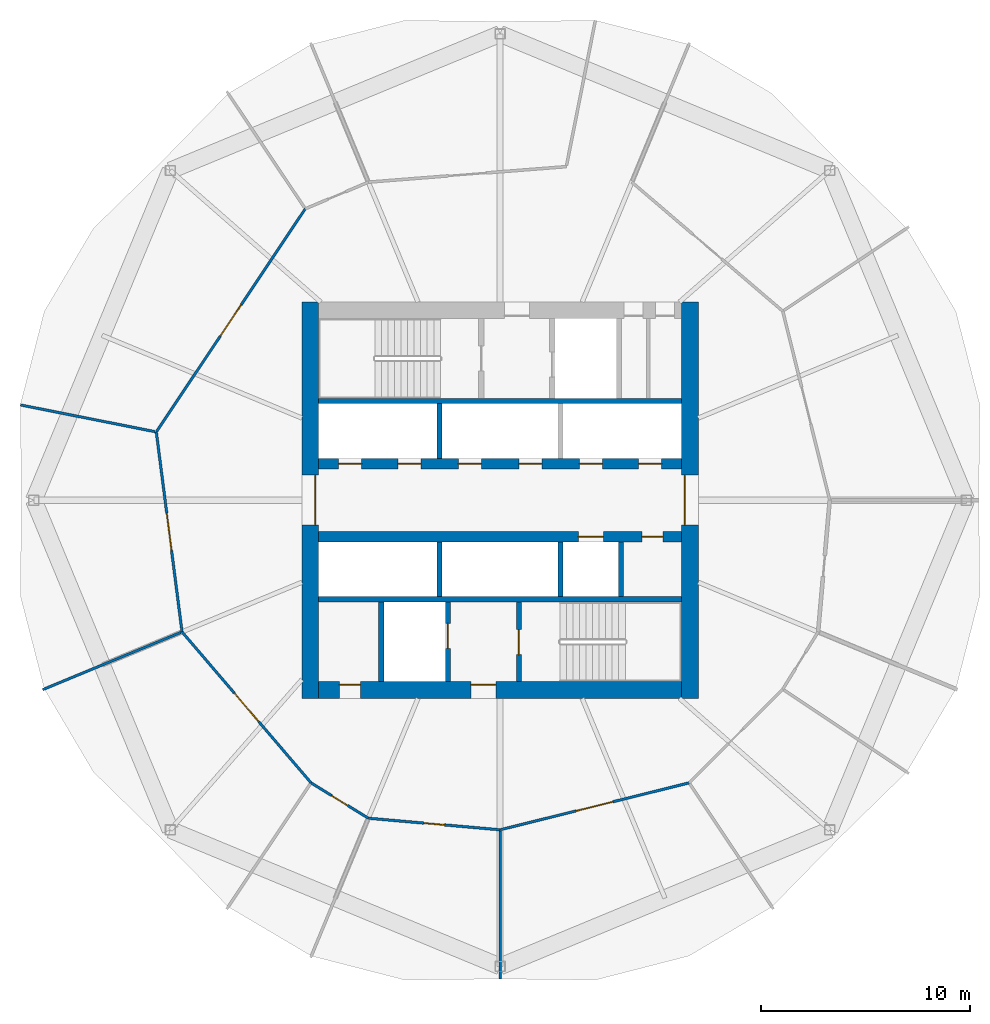
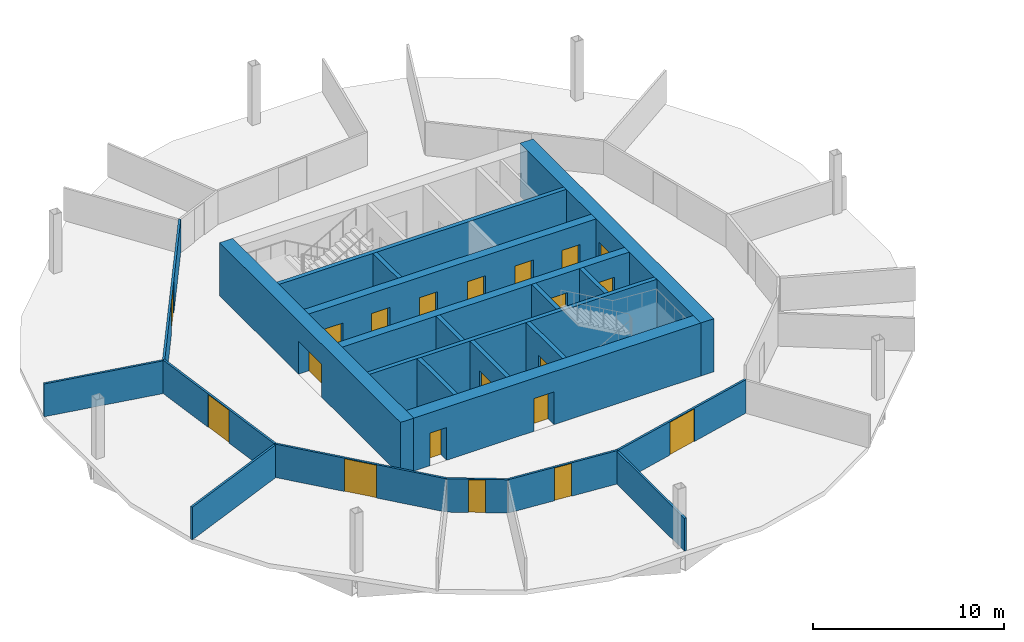
# One storey, part 4 of 10: 23 walls, 20 doors, 20 openings.
"""IFC4 building model written with IfcOpenShell, lengths in metres."""

from ifc_helpers import new_model, si_unit, direction, frame, frame_2d, origin, place, context, subcontext, project, spatial, rectangle, extrude, material, layer, layer_set, type_object, element, fill, save


model = new_model("IFC4")

# Units and contexts
model_context = context("Model", 3, precision=1e-05, world=origin(), true_north=direction((0.0, 1.0)))
body_context = subcontext(model_context, "Body", "Model", "MODEL_VIEW")
ifc_project = project(units=[si_unit("LENGTHUNIT", "METRE"), si_unit("AREAUNIT", "SQUARE_METRE"), si_unit("VOLUMEUNIT", "CUBIC_METRE"), si_unit("PLANEANGLEUNIT", "RADIAN"), si_unit("MASSUNIT", "GRAM", prefix="KILO")], contexts=[model_context])

# Site, building, storey
site_placement = place(None, origin())
site = spatial("IfcSite", under=ifc_project, at=site_placement, CompositionType="ELEMENT")
building_placement = place(site_placement, origin())
building = spatial("IfcBuilding", under=site, at=building_placement, Name="Ogive Gate Towers", CompositionType="ELEMENT")
storey_placement = place(building_placement, frame((0.0, 0.0, 126.89990234375)))
storey = spatial("IfcBuildingStorey", under=building, at=storey_placement, Name="L30", CompositionType="ELEMENT", Elevation=126.89990234375)

# Wall, openings, doors
ifc_material_1 = material(Name="Concrete C60/75", Category="concrete")
ifc_layer_1 = layer(ifc_material_1, 0.800048828125)
ifc_layer_set_1 = layer_set([ifc_layer_1], Name="Core wall 800 mm")
wall_type_1 = type_object("IfcWallType", Name="Core wall 800 mm", PredefinedType="SHEAR", material=ifc_layer_set_1)
wall_1_placement = place(storey_placement, frame((-44.699951171875, -9.10009765625, 0.0), z_axis=(0.0, 0.0, 1.0), x_axis=(1.0, 0.0, 0.0)))
wall_1 = element("IfcWall", 1, at=wall_1_placement, inside=storey, type_object=wall_type_1, Name="T1 L30 Core wall 800 mm", PredefinedType="SHEAR", context=body_context, shape_type="SweptSolid", body=[
    extrude(rectangle(XDim=17.39990234375, YDim=0.800048828125, at=frame_2d((8.699951171875, 0.0))), origin(), (0.0, 0.0, 1.0), 3.400146484375),
])
opening_1_placement = place(wall_1_placement, frame((7.300048828125, 0.0, 0.0)))
opening_1 = element("IfcOpeningElement", 2, at=opening_1_placement, cuts=wall_1, Name="Opening KD-T1-L30-16", PredefinedType="OPENING", context=body_context, shape_type="SweptSolid", body=[
    extrude(rectangle(XDim=1.199951171875, YDim=2.10009765625, at=frame_2d((0.60009765625, 1.050048828125))), frame((0.0, 0.41015625, 0.0), z_axis=(0.0, -1.0, 0.0), x_axis=(1.0, 0.0, 0.0)), (0.0, 0.0, 1.0), 0.820068359375),
])
opening_2_placement = place(wall_1_placement, frame((1.0, 0.0, 0.0)))
opening_2 = element("IfcOpeningElement", 3, at=opening_2_placement, cuts=wall_1, Name="Opening KD-T1-L30-19", PredefinedType="OPENING", context=body_context, shape_type="SweptSolid", body=[
    extrude(rectangle(XDim=1.0, YDim=2.10009765625, at=frame_2d((0.5, 1.050048828125))), frame((0.0, 0.41015625, 0.0), z_axis=(0.0, -1.0, 0.0), x_axis=(1.0, 0.0, 0.0)), (0.0, 0.0, 1.0), 0.820068359375),
])
ifc_material_2 = material(Name="Timber door", Category="wood")
door_type_1 = type_object("IfcDoorType", Name="Accessible WC door 1000 x 2100", OperationType="NOTDEFINED", PredefinedType="DOOR", material=ifc_material_2)
door_1_placement = place(opening_2_placement, origin())
door_1 = element("IfcDoor", 4, at=door_1_placement, inside=storey, type_object=door_type_1, Name="T1 L30 Core door", OperationType="SINGLE_SWING_RIGHT", OverallHeight=2.10009765625, OverallWidth=1.0, PredefinedType="DOOR", context=body_context, shape_type="SweptSolid", body=[
    extrude(rectangle(XDim=1.0, YDim=2.10009765625, at=frame_2d((0.5, 1.050048828125))), frame((0.0, 0.27490234375, 0.0), z_axis=(0.0, -1.0, 0.0), x_axis=(1.0, 0.0, 0.0)), (0.0, 0.0, 1.0), 0.050048828125),
])
fill(opening_2, door_1)
ifc_material_3 = material(Name="Steel fire door", Category="steel")
door_type_2 = type_object("IfcDoorType", Name="Core door FD60S 1200 x 2100", OperationType="NOTDEFINED", PredefinedType="DOOR", material=ifc_material_3)
door_2_placement = place(opening_1_placement, origin())
door_2 = element("IfcDoor", 5, at=door_2_placement, inside=storey, type_object=door_type_2, Name="T1 L30 Fire-fighting lobby door", OperationType="SINGLE_SWING_LEFT", OverallHeight=2.10009765625, OverallWidth=1.199951171875, PredefinedType="DOOR", context=body_context, shape_type="SweptSolid", body=[
    extrude(rectangle(XDim=1.199951171875, YDim=2.10009765625, at=frame_2d((0.60009765625, 1.050048828125))), frame((0.0, 0.27490234375, 0.0), z_axis=(0.0, -1.0, 0.0), x_axis=(1.0, 0.0, 0.0)), (0.0, 0.0, 1.0), 0.050048828125),
])
fill(opening_1, door_2)

# Wall, opening, door
wall_2_placement = place(storey_placement, frame((-45.10009765625, -9.5, 0.0), z_axis=(0.0, 0.0, 1.0), x_axis=(0.0, 1.0, 0.0)))
wall_2 = element("IfcWall", 6, at=wall_2_placement, inside=storey, type_object=wall_type_1, Name="T1 L30 Core wall 800 mm", PredefinedType="SHEAR", context=body_context, shape_type="SweptSolid", body=[
    extrude(rectangle(XDim=19.0, YDim=0.800048828125, at=frame_2d((9.5, 0.0))), origin(), (0.0, 0.0, 1.0), 3.400146484375),
])
opening_3_placement = place(wall_2_placement, frame((8.300048828125, 0.0, 0.0)))
opening_3 = element("IfcOpeningElement", 7, at=opening_3_placement, cuts=wall_2, Name="Opening KD-T1-L30-01", PredefinedType="OPENING", context=body_context, shape_type="SweptSolid", body=[
    extrude(rectangle(XDim=2.39990234375, YDim=2.10009765625, at=frame_2d((1.199951171875, 1.050048828125))), frame((0.0, 0.41015625, 0.0), z_axis=(0.0, -1.0, 0.0), x_axis=(1.0, 0.0, 0.0)), (0.0, 0.0, 1.0), 0.820068359375),
])
door_type_3 = type_object("IfcDoorType", Name="Core double door FD60S 2400 x 2100", OperationType="DOUBLE_DOOR_SINGLE_SWING", PredefinedType="DOOR", material=ifc_material_3)
door_3_placement = place(opening_3_placement, origin())
door_3 = element("IfcDoor", 8, at=door_3_placement, inside=storey, type_object=door_type_3, Name="T1 L30 Core door double", OperationType="DOUBLE_DOOR_SINGLE_SWING", OverallHeight=2.10009765625, OverallWidth=2.39990234375, PredefinedType="DOOR", context=body_context, shape_type="SweptSolid", body=[
    extrude(rectangle(XDim=2.39990234375, YDim=2.10009765625, at=frame_2d((1.199951171875, 1.050048828125))), frame((0.0, -0.22509765625, 0.0), z_axis=(0.0, -1.0, 0.0), x_axis=(1.0, 0.0, 0.0)), (0.0, 0.0, 1.0), 0.050048828125),
])
fill(opening_3, door_3)

wall_3_placement = place(storey_placement, frame((-26.89990234375, -9.5, 0.0), z_axis=(0.0, 0.0, 1.0), x_axis=(0.0, 1.0, 0.0)))
wall_3 = element("IfcWall", 9, at=wall_3_placement, inside=storey, type_object=wall_type_1, Name="T1 L30 Core wall 800 mm", PredefinedType="SHEAR", context=body_context, shape_type="SweptSolid", body=[
    extrude(rectangle(XDim=19.0, YDim=0.800048828125, at=frame_2d((9.5, 0.0))), origin(), (0.0, 0.0, 1.0), 3.400146484375),
])
opening_4_placement = place(wall_3_placement, frame((8.300048828125, 0.0, 0.0)))
opening_4 = element("IfcOpeningElement", 10, at=opening_4_placement, cuts=wall_3, Name="Opening KD-T1-L30-02", PredefinedType="OPENING", context=body_context, shape_type="SweptSolid", body=[
    extrude(rectangle(XDim=2.39990234375, YDim=2.10009765625, at=frame_2d((1.199951171875, 1.050048828125))), frame((0.0, 0.41015625, 0.0), z_axis=(0.0, -1.0, 0.0), x_axis=(1.0, 0.0, 0.0)), (0.0, 0.0, 1.0), 0.820068359375),
])
door_4_placement = place(opening_4_placement, origin())
door_4 = element("IfcDoor", 11, at=door_4_placement, inside=storey, type_object=door_type_3, Name="T1 L30 Core door double", OperationType="DOUBLE_DOOR_SINGLE_SWING", OverallHeight=2.10009765625, OverallWidth=2.39990234375, PredefinedType="DOOR", context=body_context, shape_type="SweptSolid", body=[
    extrude(rectangle(XDim=2.39990234375, YDim=2.10009765625, at=frame_2d((1.199951171875, 1.050048828125))), frame((0.0, 0.27490234375, 0.0), z_axis=(0.0, -1.0, 0.0), x_axis=(1.0, 0.0, 0.0)), (0.0, 0.0, 1.0), 0.050048828125),
])
fill(opening_4, door_4)

# Walls
ifc_material_4 = material(Name="Gypsum board partition")
ifc_layer_2 = layer(ifc_material_4, 0.125)
ifc_layer_set_2 = layer_set([ifc_layer_2], Name="Partition 125")
wall_type_2 = type_object("IfcWallType", Name="Partition 125", PredefinedType="PARTITIONING", material=ifc_layer_set_2)
wall_4_placement = place(storey_placement, frame((-59.00048828125, 4.5673828125, 0.0), z_axis=(0.0, 0.0, 1.0), x_axis=(0.980844954996, -0.194790077416, 0.0)))
element("IfcWall", 12, at=wall_4_placement, inside=storey, type_object=wall_type_2, Name="Partition T1-L30-007", PredefinedType="PARTITIONING", context=body_context, shape_type="SweptSolid", body=[
    extrude(rectangle(XDim=6.58642578125, YDim=0.125, at=frame_2d((3.293212890625, 0.0))), origin(), (0.0, 0.0, 1.0), 2.10009765625),
])
wall_5_placement = place(storey_placement, frame((-57.92578125, -9.081787109375, 0.0), z_axis=(0.0, 0.0, 1.0), x_axis=(0.923888990556, 0.382660597828, 0.0)))
element("IfcWall", 13, at=wall_5_placement, inside=storey, type_object=wall_type_2, Name="Partition T1-L30-008", PredefinedType="PARTITIONING", context=body_context, shape_type="SweptSolid", body=[
    extrude(rectangle(XDim=7.168701171875, YDim=0.125, at=frame_2d((3.58447265625, 0.0))), origin(), (0.0, 0.0, 1.0), 2.10009765625),
])
wall_6_placement = place(storey_placement, frame((-36.0, -22.948974609375, 0.0), z_axis=(0.0, 0.0, 1.0), x_axis=(0.0, 1.0, 0.0)))
element("IfcWall", 14, at=wall_6_placement, inside=storey, type_object=wall_type_2, Name="Partition T1-L30-011", PredefinedType="PARTITIONING", context=body_context, shape_type="SweptSolid", body=[
    extrude(rectangle(XDim=7.08642578125, YDim=0.125, at=frame_2d((3.543212890625, 0.0))), origin(), (0.0, 0.0, 1.0), 2.10009765625),
])

# Wall, opening, door
wall_7_placement = place(storey_placement, frame((-45.33837890625, 13.966064453125, 0.0), z_axis=(0.0, 0.0, 1.0), x_axis=(-0.555313451399, -0.831641130955, 0.0)))
wall_7 = element("IfcWall", 15, at=wall_7_placement, inside=storey, type_object=wall_type_2, Name="Partition T1-L30-017", PredefinedType="PARTITIONING", context=body_context, shape_type="SweptSolid", body=[
    extrude(rectangle(XDim=12.858642578125, YDim=0.125, at=frame_2d((6.42919921875, 0.0))), origin(), (0.0, 0.0, 1.0), 2.14013671875),
])
opening_5_placement = place(wall_7_placement, frame((5.529052734375, 0.0, 0.0)))
opening_5 = element("IfcOpeningElement", 16, at=opening_5_placement, cuts=wall_7, Name="Opening T1-L30-D03", PredefinedType="OPENING", context=body_context, shape_type="SweptSolid", body=[
    extrude(rectangle(XDim=1.800048828125, YDim=2.10009765625, at=frame_2d((0.89990234375, 1.050048828125))), frame((0.0, 0.072509765625, 0.0), z_axis=(0.0, -1.0, 0.0), x_axis=(1.0, 0.0, 0.0)), (0.0, 0.0, 1.0), 0.14501953125),
])
door_type_4 = type_object("IfcDoorType", Name="Door pair 1800", OperationType="NOTDEFINED", PredefinedType="DOOR", material=ifc_material_2)
door_5_placement = place(opening_5_placement, origin())
door_5 = element("IfcDoor", 17, at=door_5_placement, inside=storey, type_object=door_type_4, Name="Door T1-L30-D03", OperationType="DOUBLE_DOOR_DOUBLE_SWING", OverallHeight=2.10009765625, OverallWidth=1.800048828125, PredefinedType="DOOR", context=body_context, shape_type="SweptSolid", body=[
    extrude(rectangle(XDim=1.800048828125, YDim=2.10009765625, at=frame_2d((0.89990234375, 1.050048828125))), frame((0.0, 0.02490234375, 0.0), z_axis=(0.0, -1.0, 0.0), x_axis=(1.0, 0.0, 0.0)), (0.0, 0.0, 1.0), 0.050048828125),
])
fill(opening_5, door_5)

wall_8_placement = place(storey_placement, frame((-52.47900390625, 3.272216796875, 0.0), z_axis=(0.0, 0.0, 1.0), x_axis=(0.127652365424, -0.991818972193, 0.0)))
wall_8 = element("IfcWall", 18, at=wall_8_placement, inside=storey, type_object=wall_type_2, Name="Partition T1-L30-018", PredefinedType="PARTITIONING", context=body_context, shape_type="SweptSolid", body=[
    extrude(rectangle(XDim=9.666015625, YDim=0.125, at=frame_2d((4.8330078125, 0.0))), origin(), (0.0, 0.0, 1.0), 2.14013671875),
])
opening_6_placement = place(wall_8_placement, frame((3.93310546875, 0.0, 0.0)))
opening_6 = element("IfcOpeningElement", 19, at=opening_6_placement, cuts=wall_8, Name="Opening T1-L30-D04", PredefinedType="OPENING", context=body_context, shape_type="SweptSolid", body=[
    extrude(rectangle(XDim=1.800048828125, YDim=2.10009765625, at=frame_2d((0.89990234375, 1.050048828125))), frame((0.0, 0.072509765625, 0.0), z_axis=(0.0, -1.0, 0.0), x_axis=(1.0, 0.0, 0.0)), (0.0, 0.0, 1.0), 0.14501953125),
])
door_6_placement = place(opening_6_placement, origin())
door_6 = element("IfcDoor", 20, at=door_6_placement, inside=storey, type_object=door_type_4, Name="Door T1-L30-D04", OperationType="DOUBLE_DOOR_DOUBLE_SWING", OverallHeight=2.10009765625, OverallWidth=1.800048828125, PredefinedType="DOOR", context=body_context, shape_type="SweptSolid", body=[
    extrude(rectangle(XDim=1.800048828125, YDim=2.10009765625, at=frame_2d((0.89990234375, 1.050048828125))), frame((0.0, 0.02490234375, 0.0), z_axis=(0.0, -1.0, 0.0), x_axis=(1.0, 0.0, 0.0)), (0.0, 0.0, 1.0), 0.050048828125),
])
fill(opening_6, door_6)

wall_9_placement = place(storey_placement, frame((-51.2451171875, -6.314697265625, 0.0), z_axis=(0.0, 0.0, 1.0), x_axis=(0.649726172802, -0.760168336867, 0.0)))
wall_9 = element("IfcWall", 21, at=wall_9_placement, inside=storey, type_object=wall_type_2, Name="Partition T1-L30-019", PredefinedType="PARTITIONING", context=body_context, shape_type="SweptSolid", body=[
    extrude(rectangle(XDim=9.518798828125, YDim=0.125, at=frame_2d((4.75927734375, 0.0))), origin(), (0.0, 0.0, 1.0), 2.14013671875),
])
opening_7_placement = place(wall_9_placement, frame((3.85888671875, 0.0, 0.0)))
opening_7 = element("IfcOpeningElement", 22, at=opening_7_placement, cuts=wall_9, Name="Opening T1-L30-D05", PredefinedType="OPENING", context=body_context, shape_type="SweptSolid", body=[
    extrude(rectangle(XDim=1.800048828125, YDim=2.10009765625, at=frame_2d((0.89990234375, 1.050048828125))), frame((0.0, 0.072509765625, 0.0), z_axis=(0.0, -1.0, 0.0), x_axis=(1.0, 0.0, 0.0)), (0.0, 0.0, 1.0), 0.14501953125),
])
door_7_placement = place(opening_7_placement, origin())
door_7 = element("IfcDoor", 23, at=door_7_placement, inside=storey, type_object=door_type_4, Name="Door T1-L30-D05", OperationType="DOUBLE_DOOR_DOUBLE_SWING", OverallHeight=2.10009765625, OverallWidth=1.800048828125, PredefinedType="DOOR", context=body_context, shape_type="SweptSolid", body=[
    extrude(rectangle(XDim=1.800048828125, YDim=2.10009765625, at=frame_2d((0.89990234375, 1.050048828125))), frame((0.0, 0.02490234375, 0.0), z_axis=(0.0, -1.0, 0.0), x_axis=(1.0, 0.0, 0.0)), (0.0, 0.0, 1.0), 0.050048828125),
])
fill(opening_7, door_7)

wall_10_placement = place(storey_placement, frame((-45.060546875, -13.550537109375, 0.0), z_axis=(0.0, 0.0, 1.0), x_axis=(0.850989966288, -0.525181946831, 0.0)))
wall_10 = element("IfcWall", 24, at=wall_10_placement, inside=storey, type_object=wall_type_2, Name="Partition T1-L30-020", PredefinedType="PARTITIONING", context=body_context, shape_type="SweptSolid", body=[
    extrude(rectangle(XDim=3.2265625, YDim=0.125, at=frame_2d((1.61328125, 0.0))), origin(), (0.0, 0.0, 1.0), 2.14013671875),
])
opening_8_placement = place(wall_10_placement, frame((1.1630859375, 0.0, 0.0)))
opening_8 = element("IfcOpeningElement", 25, at=opening_8_placement, cuts=wall_10, Name="Opening T1-L30-D06", PredefinedType="OPENING", context=body_context, shape_type="SweptSolid", body=[
    extrude(rectangle(XDim=0.89990234375, YDim=2.10009765625, at=frame_2d((0.449951171875, 1.050048828125))), frame((0.0, 0.072509765625, 0.0), z_axis=(0.0, -1.0, 0.0), x_axis=(1.0, 0.0, 0.0)), (0.0, 0.0, 1.0), 0.14501953125),
])
door_type_5 = type_object("IfcDoorType", Name="Door 900", OperationType="NOTDEFINED", PredefinedType="DOOR", material=ifc_material_2)
door_8_placement = place(opening_8_placement, origin())
door_8 = element("IfcDoor", 26, at=door_8_placement, inside=storey, type_object=door_type_5, Name="Door T1-L30-D06", OperationType="SINGLE_SWING_LEFT", OverallHeight=2.10009765625, OverallWidth=0.89990234375, PredefinedType="DOOR", context=body_context, shape_type="SweptSolid", body=[
    extrude(rectangle(XDim=0.89990234375, YDim=2.10009765625, at=frame_2d((0.449951171875, 1.050048828125))), frame((0.0, 0.02490234375, 0.0), z_axis=(0.0, -1.0, 0.0), x_axis=(1.0, 0.0, 0.0)), (0.0, 0.0, 1.0), 0.050048828125),
])
fill(opening_8, door_8)

wall_11_placement = place(storey_placement, frame((-42.314697265625, -15.2451171875, 0.0), z_axis=(0.0, 0.0, 1.0), x_axis=(0.996160830395, -0.087541989851, 0.0)))
wall_11 = element("IfcWall", 27, at=wall_11_placement, inside=storey, type_object=wall_type_2, Name="Partition T1-L30-021", PredefinedType="PARTITIONING", context=body_context, shape_type="SweptSolid", body=[
    extrude(rectangle(XDim=6.339111328125, YDim=0.125, at=frame_2d((3.16943359375, 0.0))), origin(), (0.0, 0.0, 1.0), 2.14013671875),
])
opening_9_placement = place(wall_11_placement, frame((2.6689453125, 0.0, 0.0)))
opening_9 = element("IfcOpeningElement", 28, at=opening_9_placement, cuts=wall_11, Name="Opening T1-L30-D07", PredefinedType="OPENING", context=body_context, shape_type="SweptSolid", body=[
    extrude(rectangle(XDim=1.0, YDim=2.10009765625, at=frame_2d((0.5, 1.050048828125))), frame((0.0, 0.072509765625, 0.0), z_axis=(0.0, -1.0, 0.0), x_axis=(1.0, 0.0, 0.0)), (0.0, 0.0, 1.0), 0.14501953125),
])
door_type_6 = type_object("IfcDoorType", Name="Door 1000", OperationType="NOTDEFINED", PredefinedType="DOOR", material=ifc_material_2)
door_9_placement = place(opening_9_placement, origin())
door_9 = element("IfcDoor", 29, at=door_9_placement, inside=storey, type_object=door_type_6, Name="Door T1-L30-D07", OperationType="SINGLE_SWING_RIGHT", OverallHeight=2.10009765625, OverallWidth=1.0, PredefinedType="DOOR", context=body_context, shape_type="SweptSolid", body=[
    extrude(rectangle(XDim=1.0, YDim=2.10009765625, at=frame_2d((0.5, 1.050048828125))), frame((0.0, 0.02490234375, 0.0), z_axis=(0.0, -1.0, 0.0), x_axis=(1.0, 0.0, 0.0)), (0.0, 0.0, 1.0), 0.050048828125),
])
fill(opening_9, door_9)

wall_12_placement = place(storey_placement, frame((-36.0, -15.800048828125, 0.0), z_axis=(0.0, 0.0, 1.0), x_axis=(0.970535032316, 0.240960061106, 0.0)))
wall_12 = element("IfcWall", 30, at=wall_12_placement, inside=storey, type_object=wall_type_2, Name="Partition T1-L30-022", PredefinedType="PARTITIONING", context=body_context, shape_type="SweptSolid", body=[
    extrude(rectangle(XDim=9.335693359375, YDim=0.125, at=frame_2d((4.66796875, 0.0))), origin(), (0.0, 0.0, 1.0), 2.14013671875),
])
opening_10_placement = place(wall_12_placement, frame((3.76806640625, 0.0, 0.0)))
opening_10 = element("IfcOpeningElement", 31, at=opening_10_placement, cuts=wall_12, Name="Opening T1-L30-D08", PredefinedType="OPENING", context=body_context, shape_type="SweptSolid", body=[
    extrude(rectangle(XDim=1.800048828125, YDim=2.10009765625, at=frame_2d((0.89990234375, 1.050048828125))), frame((0.0, 0.072509765625, 0.0), z_axis=(0.0, -1.0, 0.0), x_axis=(1.0, 0.0, 0.0)), (0.0, 0.0, 1.0), 0.14501953125),
])
door_10_placement = place(opening_10_placement, origin())
door_10 = element("IfcDoor", 32, at=door_10_placement, inside=storey, type_object=door_type_4, Name="Door T1-L30-D08", OperationType="DOUBLE_DOOR_DOUBLE_SWING", OverallHeight=2.10009765625, OverallWidth=1.800048828125, PredefinedType="DOOR", context=body_context, shape_type="SweptSolid", body=[
    extrude(rectangle(XDim=1.800048828125, YDim=2.10009765625, at=frame_2d((0.89990234375, 1.050048828125))), frame((0.0, 0.02490234375, 0.0), z_axis=(0.0, -1.0, 0.0), x_axis=(1.0, 0.0, 0.0)), (0.0, 0.0, 1.0), 0.050048828125),
])
fill(opening_10, door_10)

# Walls
ifc_layer_3 = layer(ifc_material_1, 0.25)
ifc_layer_set_3 = layer_set([ifc_layer_3], Name="Shaft wall 250 mm")
wall_type_3 = type_object("IfcWallType", Name="Shaft wall 250 mm", PredefinedType="SHEAR", material=ifc_layer_set_3)
for number, where, z_axis, x_axis, name in (
    (33, (-44.699951171875, -4.75, 0.0), (0.0, 0.0, 1.0), (1.0, 0.0, 0.0), "T1 L30 Shaft wall 250 mm"),
    (34, (-44.699951171875, 4.75, 0.0), (0.0, 0.0, 1.0), (1.0, 0.0, 0.0), "T1 L30 Shaft wall 250 mm"),
):
    element("IfcWall", number, at=place(storey_placement, frame(where, z_axis=z_axis, x_axis=x_axis)), inside=storey, type_object=wall_type_3, Name=name, PredefinedType="SHEAR", context=body_context, shape_type="SweptSolid", body=[
        extrude(rectangle(XDim=17.39990234375, YDim=0.25, at=frame_2d((8.699951171875, 0.0))), origin(), (0.0, 0.0, 1.0), 3.400146484375),
    ])
wall_13_placement = place(storey_placement, frame((-41.699951171875, -8.699951171875, 0.0), z_axis=(0.0, 0.0, 1.0), x_axis=(0.0, 1.0, 0.0)))
element("IfcWall", 35, at=wall_13_placement, inside=storey, type_object=wall_type_3, Name="T1 L30 Shaft wall 250 mm", PredefinedType="SHEAR", context=body_context, shape_type="SweptSolid", body=[
    extrude(rectangle(XDim=3.824951171875, YDim=0.25, at=frame_2d((1.91259765625, 0.0))), origin(), (0.0, 0.0, 1.0), 3.400146484375),
])
for number, where, z_axis, x_axis, name in (
    (36, (-38.89990234375, -4.625, 0.0), (0.0, 0.0, 1.0), (0.0, 1.0, 0.0), "T1 L30 Shaft wall 250 mm"),
    (37, (-38.89990234375, 2.0, 0.0), (0.0, 0.0, 1.0), (0.0, 1.0, 0.0), "T1 L30 Shaft wall 250 mm"),
):
    element("IfcWall", number, at=place(storey_placement, frame(where, z_axis=z_axis, x_axis=x_axis)), inside=storey, type_object=wall_type_3, Name=name, PredefinedType="SHEAR", context=body_context, shape_type="SweptSolid", body=[
        extrude(rectangle(XDim=2.625, YDim=0.25, at=frame_2d((1.3125, 0.0))), origin(), (0.0, 0.0, 1.0), 3.400146484375),
    ])

# Wall, opening, door
wall_14_placement = place(storey_placement, frame((-38.5, -8.699951171875, 0.0), z_axis=(0.0, 0.0, 1.0), x_axis=(0.0, 1.0, 0.0)))
wall_14 = element("IfcWall", 38, at=wall_14_placement, inside=storey, type_object=wall_type_3, Name="T1 L30 Shaft wall 250 mm", PredefinedType="SHEAR", context=body_context, shape_type="SweptSolid", body=[
    extrude(rectangle(XDim=3.824951171875, YDim=0.25, at=frame_2d((1.91259765625, 0.0))), origin(), (0.0, 0.0, 1.0), 3.400146484375),
])
opening_11_placement = place(wall_14_placement, frame((1.60009765625, 0.0, 0.0)))
opening_11 = element("IfcOpeningElement", 39, at=opening_11_placement, cuts=wall_14, Name="Opening LD-T1-L30-11", PredefinedType="OPENING", context=body_context, shape_type="SweptSolid", body=[
    extrude(rectangle(XDim=1.199951171875, YDim=2.10009765625, at=frame_2d((0.60009765625, 1.050048828125))), frame((0.0, 0.135009765625, 0.0), z_axis=(0.0, -1.0, 0.0), x_axis=(1.0, 0.0, 0.0)), (0.0, 0.0, 1.0), 0.27001953125),
])
ifc_material_5 = material(Name="Stainless steel landing door", Category="steel")
door_type_7 = type_object("IfcDoorType", Name="Landing door 1200 x 2100", OperationType="SLIDING_TO_LEFT", PredefinedType="DOOR", material=ifc_material_5)
door_11_placement = place(opening_11_placement, origin())
door_11 = element("IfcDoor", 40, at=door_11_placement, inside=storey, type_object=door_type_7, Name="T1 L30 Lift landing door FF2", OperationType="SLIDING_TO_LEFT", OverallHeight=2.10009765625, OverallWidth=1.199951171875, PredefinedType="DOOR", context=body_context, shape_type="SweptSolid", body=[
    extrude(rectangle(XDim=1.199951171875, YDim=2.10009765625, at=frame_2d((0.60009765625, 1.050048828125))), frame((0.0, 0.02490234375, 0.0), z_axis=(0.0, -1.0, 0.0), x_axis=(1.0, 0.0, 0.0)), (0.0, 0.0, 1.0), 0.050048828125),
])
fill(opening_11, door_11)

wall_15_placement = place(storey_placement, frame((-35.10009765625, -8.699951171875, 0.0), z_axis=(0.0, 0.0, 1.0), x_axis=(0.0, 1.0, 0.0)))
wall_15 = element("IfcWall", 41, at=wall_15_placement, inside=storey, type_object=wall_type_3, Name="T1 L30 Shaft wall 250 mm", PredefinedType="SHEAR", context=body_context, shape_type="SweptSolid", body=[
    extrude(rectangle(XDim=3.824951171875, YDim=0.25, at=frame_2d((1.91259765625, 0.0))), origin(), (0.0, 0.0, 1.0), 3.400146484375),
])
opening_12_placement = place(wall_15_placement, frame((1.300048828125, 0.0, 0.0)))
opening_12 = element("IfcOpeningElement", 42, at=opening_12_placement, cuts=wall_15, Name="Opening KD-T1-L30-14", PredefinedType="OPENING", context=body_context, shape_type="SweptSolid", body=[
    extrude(rectangle(XDim=1.199951171875, YDim=2.10009765625, at=frame_2d((0.60009765625, 1.050048828125))), frame((0.0, 0.135009765625, 0.0), z_axis=(0.0, -1.0, 0.0), x_axis=(1.0, 0.0, 0.0)), (0.0, 0.0, 1.0), 0.27001953125),
])
door_12_placement = place(opening_12_placement, origin())
door_12 = element("IfcDoor", 43, at=door_12_placement, inside=storey, type_object=door_type_2, Name="T1 L30 Stair door", OperationType="SINGLE_SWING_LEFT", OverallHeight=2.10009765625, OverallWidth=1.199951171875, PredefinedType="DOOR", context=body_context, shape_type="SweptSolid", body=[
    extrude(rectangle(XDim=1.199951171875, YDim=2.10009765625, at=frame_2d((0.60009765625, 1.050048828125))), frame((0.0, 0.02490234375, 0.0), z_axis=(0.0, -1.0, 0.0), x_axis=(1.0, 0.0, 0.0)), (0.0, 0.0, 1.0), 0.050048828125),
])
fill(opening_12, door_12)

# Walls
for number, where, z_axis, x_axis, name in (
    (44, (-33.10009765625, -4.625, 0.0), (0.0, 0.0, 1.0), (0.0, 1.0, 0.0), "T1 L30 Shaft wall 250 mm"),
    (45, (-30.199951171875, -4.625, 0.0), (0.0, 0.0, 1.0), (0.0, 1.0, 0.0), "T1 L30 Shaft wall 250 mm"),
):
    element("IfcWall", number, at=place(storey_placement, frame(where, z_axis=z_axis, x_axis=x_axis)), inside=storey, type_object=wall_type_3, Name=name, PredefinedType="SHEAR", context=body_context, shape_type="SweptSolid", body=[
        extrude(rectangle(XDim=2.625, YDim=0.25, at=frame_2d((1.3125, 0.0))), origin(), (0.0, 0.0, 1.0), 3.400146484375),
    ])

# Wall, openings, doors
ifc_layer_4 = layer(ifc_material_1, 0.5)
ifc_layer_set_4 = layer_set([ifc_layer_4], Name="Spine wall 500 mm")
wall_type_4 = type_object("IfcWallType", Name="Spine wall 500 mm", PredefinedType="SHEAR", material=ifc_layer_set_4)
wall_16_placement = place(storey_placement, frame((-44.699951171875, -1.75, 0.0), z_axis=(0.0, 0.0, 1.0), x_axis=(1.0, 0.0, 0.0)))
wall_16 = element("IfcWall", 46, at=wall_16_placement, inside=storey, type_object=wall_type_4, Name="T1 L30 Spine wall 500 mm", PredefinedType="SHEAR", context=body_context, shape_type="SweptSolid", body=[
    extrude(rectangle(XDim=17.39990234375, YDim=0.5, at=frame_2d((8.699951171875, 0.0))), origin(), (0.0, 0.0, 1.0), 3.400146484375),
])
opening_13_placement = place(wall_16_placement, frame((12.449951171875, 0.0, 0.0)))
opening_13 = element("IfcOpeningElement", 47, at=opening_13_placement, cuts=wall_16, Name="Opening LD-T1-L30-09", PredefinedType="OPENING", context=body_context, shape_type="SweptSolid", body=[
    extrude(rectangle(XDim=1.199951171875, YDim=2.10009765625, at=frame_2d((0.60009765625, 1.050048828125))), frame((0.0, 0.260009765625, 0.0), z_axis=(0.0, -1.0, 0.0), x_axis=(1.0, 0.0, 0.0)), (0.0, 0.0, 1.0), 0.52001953125),
])
opening_14_placement = place(wall_16_placement, frame((15.5, 0.0, 0.0)))
opening_14 = element("IfcOpeningElement", 48, at=opening_14_placement, cuts=wall_16, Name="Opening KD-T1-L30-12", PredefinedType="OPENING", context=body_context, shape_type="SweptSolid", body=[
    extrude(rectangle(XDim=1.0, YDim=2.10009765625, at=frame_2d((0.5, 1.050048828125))), frame((0.0, 0.260009765625, 0.0), z_axis=(0.0, -1.0, 0.0), x_axis=(1.0, 0.0, 0.0)), (0.0, 0.0, 1.0), 0.52001953125),
])
door_type_8 = type_object("IfcDoorType", Name="Core door FD60S 1000 x 2100", OperationType="NOTDEFINED", PredefinedType="DOOR", material=ifc_material_3)
door_13_placement = place(opening_14_placement, origin())
door_13 = element("IfcDoor", 49, at=door_13_placement, inside=storey, type_object=door_type_8, Name="T1 L30 Core door", OperationType="SINGLE_SWING_LEFT", OverallHeight=2.10009765625, OverallWidth=1.0, PredefinedType="DOOR", context=body_context, shape_type="SweptSolid", body=[
    extrude(rectangle(XDim=1.0, YDim=2.10009765625, at=frame_2d((0.5, 1.050048828125))), frame((0.0, 0.02490234375, 0.0), z_axis=(0.0, -1.0, 0.0), x_axis=(1.0, 0.0, 0.0)), (0.0, 0.0, 1.0), 0.050048828125),
])
fill(opening_14, door_13)
door_14_placement = place(opening_13_placement, origin())
door_14 = element("IfcDoor", 50, at=door_14_placement, inside=storey, type_object=door_type_7, Name="T1 L30 Lift landing door SVC", OperationType="SLIDING_TO_LEFT", OverallHeight=2.10009765625, OverallWidth=1.199951171875, PredefinedType="DOOR", context=body_context, shape_type="SweptSolid", body=[
    extrude(rectangle(XDim=1.199951171875, YDim=2.10009765625, at=frame_2d((0.60009765625, 1.050048828125))), frame((0.0, 0.02490234375, 0.0), z_axis=(0.0, -1.0, 0.0), x_axis=(1.0, 0.0, 0.0)), (0.0, 0.0, 1.0), 0.050048828125),
])
fill(opening_13, door_14)

wall_17_placement = place(storey_placement, frame((-44.699951171875, 1.75, 0.0), z_axis=(0.0, 0.0, 1.0), x_axis=(1.0, 0.0, 0.0)))
wall_17 = element("IfcWall", 51, at=wall_17_placement, inside=storey, type_object=wall_type_4, Name="T1 L30 Spine wall 500 mm", PredefinedType="SHEAR", context=body_context, shape_type="SweptSolid", body=[
    extrude(rectangle(XDim=17.39990234375, YDim=0.5, at=frame_2d((8.699951171875, 0.0))), origin(), (0.0, 0.0, 1.0), 3.400146484375),
])
opening_15_placement = place(wall_17_placement, frame((0.96240234375, 0.0, 0.0)))
opening_15 = element("IfcOpeningElement", 52, at=opening_15_placement, cuts=wall_17, Name="Opening LD-T1-L30-03", PredefinedType="OPENING", context=body_context, shape_type="SweptSolid", body=[
    extrude(rectangle(XDim=1.10009765625, YDim=2.10009765625, at=frame_2d((0.550048828125, 1.050048828125))), frame((0.0, 0.260009765625, 0.0), z_axis=(0.0, -1.0, 0.0), x_axis=(1.0, 0.0, 0.0)), (0.0, 0.0, 1.0), 0.52001953125),
])
opening_16_placement = place(wall_17_placement, frame((3.800048828125, 0.0, 0.0)))
opening_16 = element("IfcOpeningElement", 53, at=opening_16_placement, cuts=wall_17, Name="Opening LD-T1-L30-04", PredefinedType="OPENING", context=body_context, shape_type="SweptSolid", body=[
    extrude(rectangle(XDim=1.10009765625, YDim=2.10009765625, at=frame_2d((0.550048828125, 1.050048828125))), frame((0.0, 0.260009765625, 0.0), z_axis=(0.0, -1.0, 0.0), x_axis=(1.0, 0.0, 0.0)), (0.0, 0.0, 1.0), 0.52001953125),
])
opening_17_placement = place(wall_17_placement, frame((6.699951171875, 0.0, 0.0)))
opening_17 = element("IfcOpeningElement", 54, at=opening_17_placement, cuts=wall_17, Name="Opening LD-T1-L30-05", PredefinedType="OPENING", context=body_context, shape_type="SweptSolid", body=[
    extrude(rectangle(XDim=1.10009765625, YDim=2.10009765625, at=frame_2d((0.550048828125, 1.050048828125))), frame((0.0, 0.260009765625, 0.0), z_axis=(0.0, -1.0, 0.0), x_axis=(1.0, 0.0, 0.0)), (0.0, 0.0, 1.0), 0.52001953125),
])
opening_18_placement = place(wall_17_placement, frame((9.60009765625, 0.0, 0.0)))
opening_18 = element("IfcOpeningElement", 55, at=opening_18_placement, cuts=wall_17, Name="Opening LD-T1-L30-06", PredefinedType="OPENING", context=body_context, shape_type="SweptSolid", body=[
    extrude(rectangle(XDim=1.10009765625, YDim=2.10009765625, at=frame_2d((0.550048828125, 1.050048828125))), frame((0.0, 0.260009765625, 0.0), z_axis=(0.0, -1.0, 0.0), x_axis=(1.0, 0.0, 0.0)), (0.0, 0.0, 1.0), 0.52001953125),
])
opening_19_placement = place(wall_17_placement, frame((12.5, 0.0, 0.0)))
opening_19 = element("IfcOpeningElement", 56, at=opening_19_placement, cuts=wall_17, Name="Opening LD-T1-L30-07", PredefinedType="OPENING", context=body_context, shape_type="SweptSolid", body=[
    extrude(rectangle(XDim=1.10009765625, YDim=2.10009765625, at=frame_2d((0.550048828125, 1.050048828125))), frame((0.0, 0.260009765625, 0.0), z_axis=(0.0, -1.0, 0.0), x_axis=(1.0, 0.0, 0.0)), (0.0, 0.0, 1.0), 0.52001953125),
])
opening_20_placement = place(wall_17_placement, frame((15.33740234375, 0.0, 0.0)))
opening_20 = element("IfcOpeningElement", 57, at=opening_20_placement, cuts=wall_17, Name="Opening LD-T1-L30-08", PredefinedType="OPENING", context=body_context, shape_type="SweptSolid", body=[
    extrude(rectangle(XDim=1.10009765625, YDim=2.10009765625, at=frame_2d((0.550048828125, 1.050048828125))), frame((0.0, 0.260009765625, 0.0), z_axis=(0.0, -1.0, 0.0), x_axis=(1.0, 0.0, 0.0)), (0.0, 0.0, 1.0), 0.52001953125),
])
door_type_9 = type_object("IfcDoorType", Name="Landing door 1100 x 2100", OperationType="SLIDING_TO_LEFT", PredefinedType="DOOR", material=ifc_material_5)
door_15_placement = place(opening_15_placement, origin())
door_15 = element("IfcDoor", 58, at=door_15_placement, inside=storey, type_object=door_type_9, Name="T1 L30 Lift landing door A1", OperationType="SLIDING_TO_LEFT", OverallHeight=2.10009765625, OverallWidth=1.10009765625, PredefinedType="DOOR", context=body_context, shape_type="SweptSolid", body=[
    extrude(rectangle(XDim=1.10009765625, YDim=2.10009765625, at=frame_2d((0.550048828125, 1.050048828125))), frame((0.0, 0.02490234375, 0.0), z_axis=(0.0, -1.0, 0.0), x_axis=(1.0, 0.0, 0.0)), (0.0, 0.0, 1.0), 0.050048828125),
])
fill(opening_15, door_15)
door_16_placement = place(opening_16_placement, origin())
door_16 = element("IfcDoor", 59, at=door_16_placement, inside=storey, type_object=door_type_9, Name="T1 L30 Lift landing door A2", OperationType="SLIDING_TO_LEFT", OverallHeight=2.10009765625, OverallWidth=1.10009765625, PredefinedType="DOOR", context=body_context, shape_type="SweptSolid", body=[
    extrude(rectangle(XDim=1.10009765625, YDim=2.10009765625, at=frame_2d((0.550048828125, 1.050048828125))), frame((0.0, 0.02490234375, 0.0), z_axis=(0.0, -1.0, 0.0), x_axis=(1.0, 0.0, 0.0)), (0.0, 0.0, 1.0), 0.050048828125),
])
fill(opening_16, door_16)
door_17_placement = place(opening_17_placement, origin())
door_17 = element("IfcDoor", 60, at=door_17_placement, inside=storey, type_object=door_type_9, Name="T1 L30 Lift landing door A3", OperationType="SLIDING_TO_LEFT", OverallHeight=2.10009765625, OverallWidth=1.10009765625, PredefinedType="DOOR", context=body_context, shape_type="SweptSolid", body=[
    extrude(rectangle(XDim=1.10009765625, YDim=2.10009765625, at=frame_2d((0.550048828125, 1.050048828125))), frame((0.0, 0.02490234375, 0.0), z_axis=(0.0, -1.0, 0.0), x_axis=(1.0, 0.0, 0.0)), (0.0, 0.0, 1.0), 0.050048828125),
])
fill(opening_17, door_17)
door_18_placement = place(opening_18_placement, origin())
door_18 = element("IfcDoor", 61, at=door_18_placement, inside=storey, type_object=door_type_9, Name="T1 L30 Lift landing door A4", OperationType="SLIDING_TO_LEFT", OverallHeight=2.10009765625, OverallWidth=1.10009765625, PredefinedType="DOOR", context=body_context, shape_type="SweptSolid", body=[
    extrude(rectangle(XDim=1.10009765625, YDim=2.10009765625, at=frame_2d((0.550048828125, 1.050048828125))), frame((0.0, 0.02490234375, 0.0), z_axis=(0.0, -1.0, 0.0), x_axis=(1.0, 0.0, 0.0)), (0.0, 0.0, 1.0), 0.050048828125),
])
fill(opening_18, door_18)
door_19_placement = place(opening_19_placement, origin())
door_19 = element("IfcDoor", 62, at=door_19_placement, inside=storey, type_object=door_type_9, Name="T1 L30 Lift landing door A5", OperationType="SLIDING_TO_LEFT", OverallHeight=2.10009765625, OverallWidth=1.10009765625, PredefinedType="DOOR", context=body_context, shape_type="SweptSolid", body=[
    extrude(rectangle(XDim=1.10009765625, YDim=2.10009765625, at=frame_2d((0.550048828125, 1.050048828125))), frame((0.0, 0.02490234375, 0.0), z_axis=(0.0, -1.0, 0.0), x_axis=(1.0, 0.0, 0.0)), (0.0, 0.0, 1.0), 0.050048828125),
])
fill(opening_19, door_19)
door_20_placement = place(opening_20_placement, origin())
door_20 = element("IfcDoor", 63, at=door_20_placement, inside=storey, type_object=door_type_9, Name="T1 L30 Lift landing door A6", OperationType="SLIDING_TO_LEFT", OverallHeight=2.10009765625, OverallWidth=1.10009765625, PredefinedType="DOOR", context=body_context, shape_type="SweptSolid", body=[
    extrude(rectangle(XDim=1.10009765625, YDim=2.10009765625, at=frame_2d((0.550048828125, 1.050048828125))), frame((0.0, 0.02490234375, 0.0), z_axis=(0.0, -1.0, 0.0), x_axis=(1.0, 0.0, 0.0)), (0.0, 0.0, 1.0), 0.050048828125),
])
fill(opening_20, door_20)

save(model, "model.ifc")
